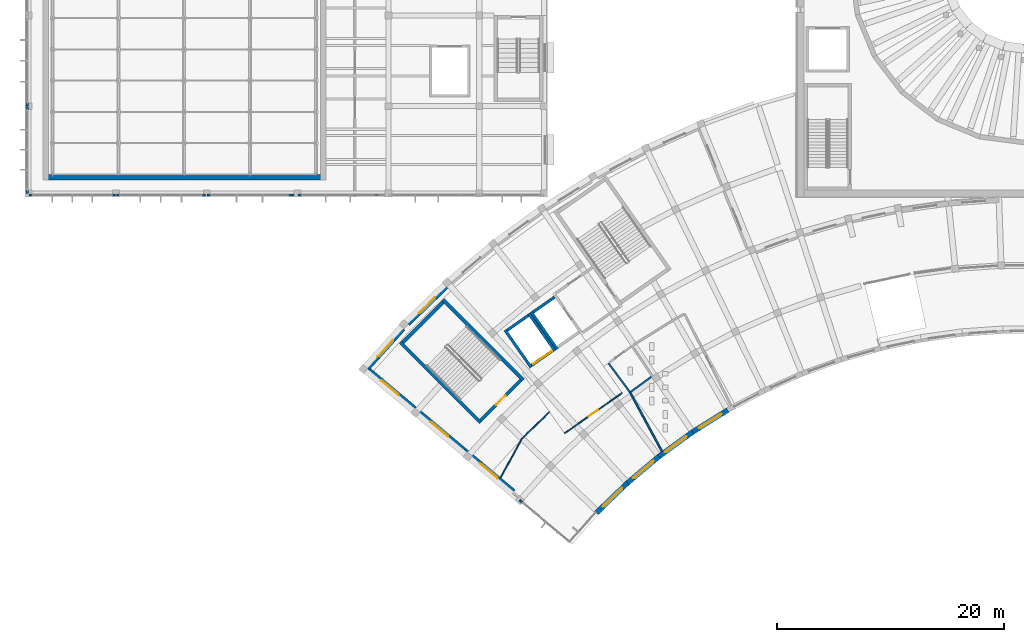
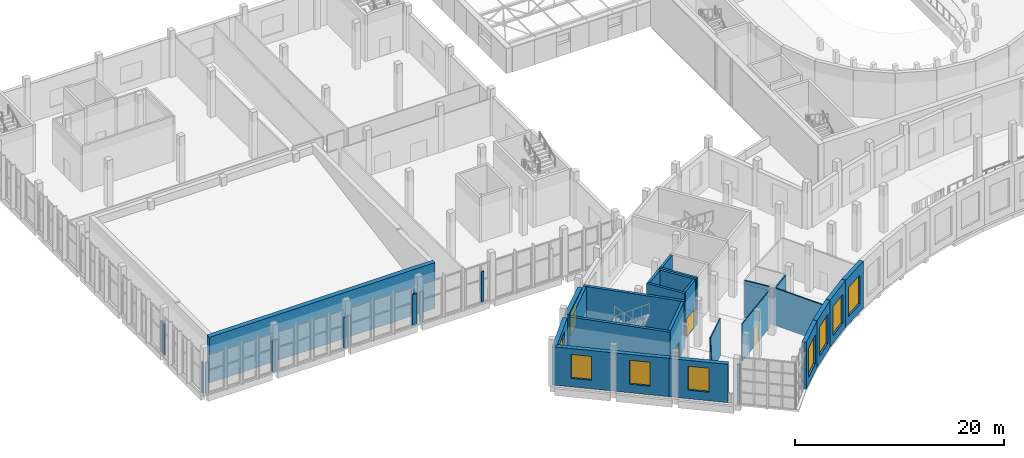
# One storey, part 68 of 132: 38 walls, 9 windows, 3 doors, 12 openings.
"""IFC4 building model written with IfcOpenShell, lengths in metres."""

from ifc_helpers import new_model, si_unit, direction, frame, frame_2d, origin, place, context, subcontext, project, spatial, rectangle, extrude, material, layer, layer_set, type_object, element, fill, save


model = new_model("IFC4")

# Units and contexts
model_context = context("Model", 3, precision=1e-05, world=origin(), true_north=direction((0.0, 1.0)))
body_context = subcontext(model_context, "Body", "Model", "MODEL_VIEW")
ifc_project = project(units=[si_unit("LENGTHUNIT", "METRE"), si_unit("AREAUNIT", "SQUARE_METRE"), si_unit("VOLUMEUNIT", "CUBIC_METRE"), si_unit("PLANEANGLEUNIT", "RADIAN"), si_unit("MASSUNIT", "GRAM", prefix="KILO")], contexts=[model_context])

# Site, building, storey
site_placement = place(None, origin())
site = spatial("IfcSite", under=ifc_project, at=site_placement, CompositionType="ELEMENT")
building_placement = place(site_placement, origin())
building = spatial("IfcBuilding", under=site, at=building_placement, Name="Lunette Opera House", CompositionType="ELEMENT")
storey_placement = place(building_placement, frame((0.0, 0.0, 17.0)))
storey = spatial("IfcBuildingStorey", under=building, at=storey_placement, Name="L03", CompositionType="ELEMENT", Elevation=17.0)

# Wall, opening, window
ifc_material_1 = material(Name="Clinker brick", Category="masonry")
ifc_layer_1 = layer(ifc_material_1, 0.449951171875)
ifc_layer_set_1 = layer_set([ifc_layer_1], Name="Clinker brick")
wall_type_1 = type_object("IfcWallType", Name="ARM END WALL 450", PredefinedType="SOLIDWALL", material=ifc_layer_set_1)
wall_1_placement = place(storey_placement, frame((51.02490234375, 38.032958984375, 0.0), z_axis=(0.0, 0.0, 1.0), x_axis=(-0.766065006368, 0.642763102565, 0.0)))
wall_1 = element("IfcWall", 1, at=wall_1_placement, inside=storey, type_object=wall_type_1, Name="Arm End Wall 450 EN-W1 L03", PredefinedType="SOLIDWALL", context=body_context, shape_type="SweptSolid", body=[
    extrude(rectangle(XDim=5.700439453125, YDim=0.449951171875, at=frame_2d((2.85009765625, 0.0))), origin(), (0.0, 0.0, 1.0), 4.47998046875),
])
opening_1_placement = place(wall_1_placement, frame((1.85009765625, 0.0, 1.0)))
opening_1 = element("IfcOpeningElement", 2, at=opening_1_placement, cuts=wall_1, Name="Opening FC-N2086", PredefinedType="OPENING", context=body_context, shape_type="SweptSolid", body=[
    extrude(rectangle(XDim=2.0, YDim=2.800048828125, at=frame_2d((1.0, 1.39990234375))), frame((0.0, 0.237060546875, 0.0), z_axis=(0.0, -1.0, 0.0), x_axis=(1.0, 0.0, 0.0)), (0.0, 0.0, 1.0), 0.473876953125),
])
ifc_material_2 = material(Name="Aluminium", Category="aluminium")
window_type_1 = type_object("IfcWindowType", Name="ARM WINDOW 2000 X 2800", PartitioningType="DOUBLE_PANEL_VERTICAL", PredefinedType="WINDOW", material=ifc_material_2)
window_1_placement = place(opening_1_placement, origin())
window_1 = element("IfcWindow", 3, at=window_1_placement, inside=storey, type_object=window_type_1, Name="Arm Window 2000 X 2800 EN-W1 L03", OverallHeight=2.800048828125, OverallWidth=2.0, PartitioningType="DOUBLE_PANEL_VERTICAL", PredefinedType="WINDOW", context=body_context, shape_type="SweptSolid", body=[
    extrude(rectangle(XDim=2.0, YDim=2.800048828125, at=frame_2d((1.0, 1.39990234375))), frame((0.0, 0.030029296875, 0.0), z_axis=(0.0, -1.0, 0.0), x_axis=(1.0, 0.0, 0.0)), (0.0, 0.0, 1.0), 0.06005859375),
])
fill(opening_1, window_1)

wall_2_placement = place(storey_placement, frame((46.657958984375, 41.697021484375, 0.0), z_axis=(0.0, 0.0, 1.0), x_axis=(-0.766078586631, 0.642746916838, 0.0)))
wall_2 = element("IfcWall", 4, at=wall_2_placement, inside=storey, type_object=wall_type_1, Name="Arm End Wall 450 EN-W2 L03", PredefinedType="SOLIDWALL", context=body_context, shape_type="SweptSolid", body=[
    extrude(rectangle(XDim=5.69921875, YDim=0.449951171875, at=frame_2d((2.849609375, 0.0))), origin(), (0.0, 0.0, 1.0), 4.47998046875),
])
opening_2_placement = place(wall_2_placement, frame((1.85009765625, 0.0, 1.0)))
opening_2 = element("IfcOpeningElement", 5, at=opening_2_placement, cuts=wall_2, Name="Opening FC-N2087", PredefinedType="OPENING", context=body_context, shape_type="SweptSolid", body=[
    extrude(rectangle(XDim=2.0, YDim=2.800048828125, at=frame_2d((1.0, 1.39990234375))), frame((0.0, 0.237060546875, 0.0), z_axis=(0.0, -1.0, 0.0), x_axis=(1.0, 0.0, 0.0)), (0.0, 0.0, 1.0), 0.473876953125),
])
window_2_placement = place(opening_2_placement, origin())
window_2 = element("IfcWindow", 6, at=window_2_placement, inside=storey, type_object=window_type_1, Name="Arm Window 2000 X 2800 EN-W2 L03", OverallHeight=2.800048828125, OverallWidth=2.0, PartitioningType="DOUBLE_PANEL_VERTICAL", PredefinedType="WINDOW", context=body_context, shape_type="SweptSolid", body=[
    extrude(rectangle(XDim=2.0, YDim=2.800048828125, at=frame_2d((1.0, 1.39990234375))), frame((0.0, 0.030029296875, 0.0), z_axis=(0.0, -1.0, 0.0), x_axis=(1.0, 0.0, 0.0)), (0.0, 0.0, 1.0), 0.06005859375),
])
fill(opening_2, window_2)

wall_3_placement = place(storey_placement, frame((42.2919921875, 45.360107421875, 0.0), z_axis=(0.0, 0.0, 1.0), x_axis=(-0.766086094987, 0.642737967657, 0.0)))
wall_3 = element("IfcWall", 7, at=wall_3_placement, inside=storey, type_object=wall_type_1, Name="Arm End Wall 450 EN-W3 L03", PredefinedType="SOLIDWALL", context=body_context, shape_type="SweptSolid", body=[
    extrude(rectangle(XDim=5.700439453125, YDim=0.449951171875, at=frame_2d((2.85009765625, 0.0))), origin(), (0.0, 0.0, 1.0), 4.47998046875),
])
opening_3_placement = place(wall_3_placement, frame((1.85009765625, 0.0, 1.0)))
opening_3 = element("IfcOpeningElement", 8, at=opening_3_placement, cuts=wall_3, Name="Opening FC-N2088", PredefinedType="OPENING", context=body_context, shape_type="SweptSolid", body=[
    extrude(rectangle(XDim=2.0, YDim=2.800048828125, at=frame_2d((1.0, 1.39990234375))), frame((0.0, 0.237060546875, 0.0), z_axis=(0.0, -1.0, 0.0), x_axis=(1.0, 0.0, 0.0)), (0.0, 0.0, 1.0), 0.473876953125),
])
window_3_placement = place(opening_3_placement, origin())
window_3 = element("IfcWindow", 9, at=window_3_placement, inside=storey, type_object=window_type_1, Name="Arm Window 2000 X 2800 EN-W3 L03", OverallHeight=2.800048828125, OverallWidth=2.0, PartitioningType="DOUBLE_PANEL_VERTICAL", PredefinedType="WINDOW", context=body_context, shape_type="SweptSolid", body=[
    extrude(rectangle(XDim=2.0, YDim=2.800048828125, at=frame_2d((1.0, 1.39990234375))), frame((0.0, 0.030029296875, 0.0), z_axis=(0.0, -1.0, 0.0), x_axis=(1.0, 0.0, 0.0)), (0.0, 0.0, 1.0), 0.06005859375),
])
fill(opening_3, window_3)

ifc_material_3 = material(Name="Clinker brick", Category="masonry")
ifc_layer_2 = layer(ifc_material_3, 0.449951171875)
ifc_layer_set_2 = layer_set([ifc_layer_2], Name="Clinker brick")
wall_type_2 = type_object("IfcWallType", Name="ARM RAIN SCREEN WALL 450", PredefinedType="SOLIDWALL", material=ifc_layer_set_2)
wall_4_placement = place(storey_placement, frame((38.154052734375, 48.929931640625, 0.0), z_axis=(0.0, 0.0, 1.0), x_axis=(0.669007879878, 0.74325531055, 0.0)))
wall_4 = element("IfcWall", 10, at=wall_4_placement, inside=storey, type_object=wall_type_2, Name="Arm Rain Screen Wall 450 BW-CW01 L03", PredefinedType="SOLIDWALL", context=body_context, shape_type="SweptSolid", body=[
    extrude(rectangle(XDim=4.68896484375, YDim=0.449951171875, at=frame_2d((2.344482421875, 0.0))), origin(), (0.0, 0.0, 1.0), 4.47998046875),
])
opening_4_placement = place(wall_4_placement, frame((1.344970703125, 0.0, 1.0)))
opening_4 = element("IfcOpeningElement", 11, at=opening_4_placement, cuts=wall_4, Name="Opening FC-N2110", PredefinedType="OPENING", context=body_context, shape_type="SweptSolid", body=[
    extrude(rectangle(XDim=2.0, YDim=2.800048828125, at=frame_2d((1.0, 1.39990234375))), frame((0.0, 0.237060546875, 0.0), z_axis=(0.0, -1.0, 0.0), x_axis=(1.0, 0.0, 0.0)), (0.0, 0.0, 1.0), 0.473876953125),
])
window_4_placement = place(opening_4_placement, origin())
window_4 = element("IfcWindow", 12, at=window_4_placement, inside=storey, type_object=window_type_1, Name="Arm Window 2000 X 2800 BW-CW01 L03", OverallHeight=2.800048828125, OverallWidth=2.0, PartitioningType="DOUBLE_PANEL_VERTICAL", PredefinedType="WINDOW", context=body_context, shape_type="SweptSolid", body=[
    extrude(rectangle(XDim=2.0, YDim=2.800048828125, at=frame_2d((1.0, 1.39990234375))), frame((0.0, 0.030029296875, 0.0), z_axis=(0.0, -1.0, 0.0), x_axis=(1.0, 0.0, 0.0)), (0.0, 0.0, 1.0), 0.06005859375),
])
fill(opening_4, window_4)

wall_5_placement = place(storey_placement, frame((41.7080078125, 52.845947265625, 0.0), z_axis=(0.0, 0.0, 1.0), x_axis=(0.719260611584, 0.694740363462, 0.0)))
wall_5 = element("IfcWall", 13, at=wall_5_placement, inside=storey, type_object=wall_type_2, Name="Arm Rain Screen Wall 450 BW-CW02 L03", PredefinedType="SOLIDWALL", context=body_context, shape_type="SweptSolid", body=[
    extrude(rectangle(XDim=4.689697265625, YDim=0.449951171875, at=frame_2d((2.3447265625, 0.0))), origin(), (0.0, 0.0, 1.0), 4.47998046875),
])
opening_5_placement = place(wall_5_placement, frame((1.344970703125, 0.0, 1.0)))
opening_5 = element("IfcOpeningElement", 14, at=opening_5_placement, cuts=wall_5, Name="Opening FC-N2114", PredefinedType="OPENING", context=body_context, shape_type="SweptSolid", body=[
    extrude(rectangle(XDim=2.0, YDim=2.800048828125, at=frame_2d((1.0, 1.39990234375))), frame((0.0, 0.237060546875, 0.0), z_axis=(0.0, -1.0, 0.0), x_axis=(1.0, 0.0, 0.0)), (0.0, 0.0, 1.0), 0.473876953125),
])
window_5_placement = place(opening_5_placement, origin())
window_5 = element("IfcWindow", 15, at=window_5_placement, inside=storey, type_object=window_type_1, Name="Arm Window 2000 X 2800 BW-CW02 L03", OverallHeight=2.800048828125, OverallWidth=2.0, PartitioningType="DOUBLE_PANEL_VERTICAL", PredefinedType="WINDOW", context=body_context, shape_type="SweptSolid", body=[
    extrude(rectangle(XDim=2.0, YDim=2.800048828125, at=frame_2d((1.0, 1.39990234375))), frame((0.0, 0.030029296875, 0.0), z_axis=(0.0, -1.0, 0.0), x_axis=(1.0, 0.0, 0.0)), (0.0, 0.0, 1.0), 0.06005859375),
])
fill(opening_5, window_5)

# Walls
ifc_material_4 = material(Name="Plastered clay blockwork", Category="masonry")
ifc_layer_3 = layer(ifc_material_4, 0.14990234375)
ifc_layer_set_3 = layer_set([ifc_layer_3], Name="Plastered clay blockwork")
wall_type_3 = type_object("IfcWallType", Name="BLOCK PARTITION 150", PredefinedType="PARTITIONING", material=ifc_layer_set_3)
wall_6_placement = place(storey_placement, frame((61.283935546875, 46.7958984375, 0.0), z_axis=(0.0, 0.0, 1.0), x_axis=(0.474946340789, -0.880014757473, 0.0)))
element("IfcWall", 16, at=wall_6_placement, inside=storey, type_object=wall_type_3, Name="Partition Public WC L03", PredefinedType="PARTITIONING", context=body_context, shape_type="SweptSolid", body=[
    extrude(rectangle(XDim=5.8974609375, YDim=0.14990234375, at=frame_2d((2.94873046875, 0.0))), origin(), (0.0, 0.0, 1.0), 4.3798828125),
])
wall_7_placement = place(storey_placement, frame((59.3779296875, 49.364990234375, 0.0), z_axis=(0.0, 0.0, 1.0), x_axis=(0.595827869692, -0.803112165079, 0.0)))
element("IfcWall", 17, at=wall_7_placement, inside=storey, type_object=wall_type_3, Name="Partition Accessible WC L03", PredefinedType="PARTITIONING", context=body_context, shape_type="SweptSolid", body=[
    extrude(rectangle(XDim=3.198974609375, YDim=0.14990234375, at=frame_2d((1.599609375, 0.0))), origin(), (0.0, 0.0, 1.0), 4.3798828125),
])
wall_8_placement = place(storey_placement, frame((61.323974609375, 46.824951171875, 0.0), z_axis=(0.0, 0.0, 1.0), x_axis=(0.809015719363, 0.587787007192, 0.0)))
element("IfcWall", 18, at=wall_8_placement, inside=storey, type_object=wall_type_3, Name="Partition Accessible WC L03", PredefinedType="PARTITIONING", context=body_context, shape_type="SweptSolid", body=[
    extrude(rectangle(XDim=2.264404296875, YDim=0.14990234375, at=frame_2d((1.13232421875, 0.0))), origin(), (0.0, 0.0, 1.0), 4.3798828125),
])

# Wall, opening, window
ifc_material_5 = material(Name="Clinker brick", Category="masonry")
ifc_layer_4 = layer(ifc_material_5, 0.449951171875)
ifc_layer_set_4 = layer_set([ifc_layer_4], Name="Clinker brick")
wall_type_4 = type_object("IfcWallType", Name="CRESCENT BRICK WALL 450", PredefinedType="SOLIDWALL", material=ifc_layer_set_4)
wall_9_placement = place(storey_placement, frame((58.327880859375, 36.177978515625, 0.0), z_axis=(0.0, 0.0, 1.0), x_axis=(0.719395911917, 0.694600260522, 0.0)))
wall_9 = element("IfcWall", 19, at=wall_9_placement, inside=storey, type_object=wall_type_4, Name="Crescent Brick Wall 450 BW-A01 L03", PredefinedType="SOLIDWALL", context=body_context, shape_type="SweptSolid", body=[
    extrude(rectangle(XDim=3.790771484375, YDim=0.449951171875, at=frame_2d((1.8955078125, 0.0))), origin(), (0.0, 0.0, 1.0), 5.5),
])
opening_6_placement = place(wall_9_placement, frame((0.798095703125, 0.0, 0.89990234375)))
opening_6 = element("IfcOpeningElement", 20, at=opening_6_placement, cuts=wall_9, Name="Opening FC-N2002", PredefinedType="OPENING", context=body_context, shape_type="SweptSolid", body=[
    extrude(rectangle(XDim=2.340087890625, YDim=3.39990234375, at=frame_2d((1.169921875, 1.699951171875))), frame((0.0, 0.237060546875, 0.0), z_axis=(0.0, -1.0, 0.0), x_axis=(1.0, 0.0, 0.0)), (0.0, 0.0, 1.0), 0.473876953125),
])
ifc_material_6 = material(Name="Aluminium", Category="aluminium")
window_type_2 = type_object("IfcWindowType", Name="CHICAGO WINDOW 2340 X 3400", PartitioningType="TRIPLE_PANEL_VERTICAL", PredefinedType="WINDOW", material=ifc_material_6)
window_6_placement = place(opening_6_placement, origin())
window_6 = element("IfcWindow", 21, at=window_6_placement, inside=storey, type_object=window_type_2, Name="Chicago Window 2340 X 3400 BW-A01 L03", OverallHeight=3.39990234375, OverallWidth=2.340087890625, PartitioningType="TRIPLE_PANEL_VERTICAL", PredefinedType="WINDOW", context=body_context, shape_type="SweptSolid", body=[
    extrude(rectangle(XDim=2.340087890625, YDim=3.39990234375, at=frame_2d((1.169921875, 1.699951171875))), frame((0.0, 0.030029296875, 0.0), z_axis=(0.0, -1.0, 0.0), x_axis=(1.0, 0.0, 0.0)), (0.0, 0.0, 1.0), 0.06005859375),
])
fill(opening_6, window_6)

wall_10_placement = place(storey_placement, frame((61.054931640625, 38.81103515625, 0.0), z_axis=(0.0, 0.0, 1.0), x_axis=(0.766009592259, 0.642829141038, 0.0)))
wall_10 = element("IfcWall", 22, at=wall_10_placement, inside=storey, type_object=wall_type_4, Name="Crescent Brick Wall 450 BW-A02 L03", PredefinedType="SOLIDWALL", context=body_context, shape_type="SweptSolid", body=[
    extrude(rectangle(XDim=3.644775390625, YDim=0.449951171875, at=frame_2d((1.822265625, 0.0))), origin(), (0.0, 0.0, 1.0), 5.5),
])
opening_7_placement = place(wall_10_placement, frame((0.653076171875, 0.0, 0.89990234375)))
opening_7 = element("IfcOpeningElement", 23, at=opening_7_placement, cuts=wall_10, Name="Opening FC-N2005", PredefinedType="OPENING", context=body_context, shape_type="SweptSolid", body=[
    extrude(rectangle(XDim=2.340087890625, YDim=3.39990234375, at=frame_2d((1.169921875, 1.699951171875))), frame((0.0, 0.237060546875, 0.0), z_axis=(0.0, -1.0, 0.0), x_axis=(1.0, 0.0, 0.0)), (0.0, 0.0, 1.0), 0.473876953125),
])
window_7_placement = place(opening_7_placement, origin())
window_7 = element("IfcWindow", 24, at=window_7_placement, inside=storey, type_object=window_type_2, Name="Chicago Window 2340 X 3400 BW-A02 L03", OverallHeight=3.39990234375, OverallWidth=2.340087890625, PartitioningType="TRIPLE_PANEL_VERTICAL", PredefinedType="WINDOW", context=body_context, shape_type="SweptSolid", body=[
    extrude(rectangle(XDim=2.340087890625, YDim=3.39990234375, at=frame_2d((1.169921875, 1.699951171875))), frame((0.0, 0.030029296875, 0.0), z_axis=(0.0, -1.0, 0.0), x_axis=(1.0, 0.0, 0.0)), (0.0, 0.0, 1.0), 0.06005859375),
])
fill(opening_7, window_7)

wall_11_placement = place(storey_placement, frame((63.846923828125, 41.154052734375, 0.0), z_axis=(0.0, 0.0, 1.0), x_axis=(0.809109587744, 0.58765778734, 0.0)))
wall_11 = element("IfcWall", 25, at=wall_11_placement, inside=storey, type_object=wall_type_4, Name="Crescent Brick Wall 450 BW-A03 L03", PredefinedType="SOLIDWALL", context=body_context, shape_type="SweptSolid", body=[
    extrude(rectangle(XDim=3.644775390625, YDim=0.449951171875, at=frame_2d((1.822265625, 0.0))), origin(), (0.0, 0.0, 1.0), 5.5),
])
opening_8_placement = place(wall_11_placement, frame((0.653076171875, 0.0, 0.89990234375)))
opening_8 = element("IfcOpeningElement", 26, at=opening_8_placement, cuts=wall_11, Name="Opening FC-N2008", PredefinedType="OPENING", context=body_context, shape_type="SweptSolid", body=[
    extrude(rectangle(XDim=2.340087890625, YDim=3.39990234375, at=frame_2d((1.169921875, 1.699951171875))), frame((0.0, 0.237060546875, 0.0), z_axis=(0.0, -1.0, 0.0), x_axis=(1.0, 0.0, 0.0)), (0.0, 0.0, 1.0), 0.473876953125),
])
window_8_placement = place(opening_8_placement, origin())
window_8 = element("IfcWindow", 27, at=window_8_placement, inside=storey, type_object=window_type_2, Name="Chicago Window 2340 X 3400 BW-A03 L03", OverallHeight=3.39990234375, OverallWidth=2.340087890625, PartitioningType="TRIPLE_PANEL_VERTICAL", PredefinedType="WINDOW", context=body_context, shape_type="SweptSolid", body=[
    extrude(rectangle(XDim=2.340087890625, YDim=3.39990234375, at=frame_2d((1.169921875, 1.699951171875))), frame((0.0, 0.030029296875, 0.0), z_axis=(0.0, -1.0, 0.0), x_axis=(1.0, 0.0, 0.0)), (0.0, 0.0, 1.0), 0.06005859375),
])
fill(opening_8, window_8)

wall_12_placement = place(storey_placement, frame((66.7958984375, 43.2958984375, 0.0), z_axis=(0.0, 0.0, 1.0), x_axis=(0.848047203697, 0.529920692464, 0.0)))
wall_12 = element("IfcWall", 28, at=wall_12_placement, inside=storey, type_object=wall_type_4, Name="Crescent Brick Wall 450 BW-A04 L03", PredefinedType="SOLIDWALL", context=body_context, shape_type="SweptSolid", body=[
    extrude(rectangle(XDim=3.64599609375, YDim=0.449951171875, at=frame_2d((1.822998046875, 0.0))), origin(), (0.0, 0.0, 1.0), 5.5),
])
opening_9_placement = place(wall_12_placement, frame((0.653076171875, 0.0, 0.89990234375)))
opening_9 = element("IfcOpeningElement", 29, at=opening_9_placement, cuts=wall_12, Name="Opening FC-N2011", PredefinedType="OPENING", context=body_context, shape_type="SweptSolid", body=[
    extrude(rectangle(XDim=2.340087890625, YDim=3.39990234375, at=frame_2d((1.169921875, 1.699951171875))), frame((0.0, 0.237060546875, 0.0), z_axis=(0.0, -1.0, 0.0), x_axis=(1.0, 0.0, 0.0)), (0.0, 0.0, 1.0), 0.473876953125),
])
window_9_placement = place(opening_9_placement, origin())
window_9 = element("IfcWindow", 30, at=window_9_placement, inside=storey, type_object=window_type_2, Name="Chicago Window 2340 X 3400 BW-A04 L03", OverallHeight=3.39990234375, OverallWidth=2.340087890625, PartitioningType="TRIPLE_PANEL_VERTICAL", PredefinedType="WINDOW", context=body_context, shape_type="SweptSolid", body=[
    extrude(rectangle(XDim=2.340087890625, YDim=3.39990234375, at=frame_2d((1.169921875, 1.699951171875))), frame((0.0, 0.030029296875, 0.0), z_axis=(0.0, -1.0, 0.0), x_axis=(1.0, 0.0, 0.0)), (0.0, 0.0, 1.0), 0.06005859375),
])
fill(opening_9, window_9)

# Walls
ifc_material_7 = material(Name="Insulated aluminium sandwich panel", Category="aluminium")
ifc_layer_5 = layer(ifc_material_7, 0.179931640625)
ifc_layer_set_5 = layer_set([ifc_layer_5], Name="Insulated aluminium sandwich panel")
wall_type_5 = type_object("IfcWallType", Name="CURTAIN WALL INFILL 180", PredefinedType="SOLIDWALL", material=ifc_layer_set_5)
wall_13_placement = place(storey_placement, frame((51.800048828125, 37.089111328125, 0.0), z_axis=(0.0, 0.0, 1.0), x_axis=(-0.767105498424, 0.641520969485, 0.0)))
element("IfcWall", 31, at=wall_13_placement, inside=storey, type_object=wall_type_5, Name="Curtain Wall Infill 180 IN5 L03", PredefinedType="SOLIDWALL", context=body_context, shape_type="SweptSolid", body=[
    extrude(rectangle(XDim=0.30517578125, YDim=0.179931640625, at=frame_2d((0.152587890625, 0.0))), origin(), (0.0, 0.0, 1.0), 4.64990234375),
])
wall_14_placement = place(storey_placement, frame((8.181884765625, 72.330078125, 0.0), z_axis=(0.0, 0.0, 1.0), x_axis=(0.0, -1.0, 0.0)))
element("IfcWall", 32, at=wall_14_placement, inside=storey, type_object=wall_type_5, Name="Curtain Wall Infill 180 IN92 L03", PredefinedType="SOLIDWALL", context=body_context, shape_type="SweptSolid", body=[
    extrude(rectangle(XDim=0.30517578125, YDim=0.179931640625, at=frame_2d((0.152587890625, 0.0))), origin(), (0.0, 0.0, 1.0), 3.699951171875),
])
wall_15_placement = place(storey_placement, frame((8.181884765625, 64.6298828125, 0.0), z_axis=(0.0, 0.0, 1.0), x_axis=(0.0, -1.0, 0.0)))
element("IfcWall", 33, at=wall_15_placement, inside=storey, type_object=wall_type_5, Name="Curtain Wall Infill 180 IN94 L03", PredefinedType="SOLIDWALL", context=body_context, shape_type="SweptSolid", body=[
    extrude(rectangle(XDim=0.304931640625, YDim=0.179931640625, at=frame_2d((0.15234375, 0.0))), origin(), (0.0, 0.0, 1.0), 3.60009765625),
])
for number, where, z_axis, x_axis, name in (
    (34, (8.181884765625, 71.669921875, 0.0), (0.0, 0.0, 1.0), (0.0, 1.0, 0.0), "Curtain Wall Infill 180 IN95 L03"),
    (35, (15.669921875, 64.18310546875, 0.0), (0.0, 0.0, 1.0), (1.0, 0.0, 0.0), "Curtain Wall Infill 180 IN96 L03"),
):
    element("IfcWall", number, at=place(storey_placement, frame(where, z_axis=z_axis, x_axis=x_axis)), inside=storey, type_object=wall_type_5, Name=name, PredefinedType="SOLIDWALL", context=body_context, shape_type="SweptSolid", body=[
        extrude(rectangle(XDim=0.30517578125, YDim=0.179931640625, at=frame_2d((0.152587890625, 0.0))), origin(), (0.0, 0.0, 1.0), 3.60009765625),
    ])
wall_16_placement = place(storey_placement, frame((8.6298828125, 64.18310546875, 0.0), z_axis=(0.0, 0.0, 1.0), x_axis=(-1.0, 0.0, 0.0)))
element("IfcWall", 36, at=wall_16_placement, inside=storey, type_object=wall_type_5, Name="Curtain Wall Infill 180 IN97 L03", PredefinedType="SOLIDWALL", context=body_context, shape_type="SweptSolid", body=[
    extrude(rectangle(XDim=0.304931640625, YDim=0.179931640625, at=frame_2d((0.15234375, 0.0))), origin(), (0.0, 0.0, 1.0), 3.60009765625),
])
for number, where, z_axis, x_axis, name in (
    (37, (23.576904296875, 64.18310546875, 0.0), (0.0, 0.0, 1.0), (1.0, 0.0, 0.0), "Curtain Wall Infill 180 IN98 L03"),
    (38, (16.330078125, 64.18310546875, 0.0), (0.0, 0.0, 1.0), (-1.0, 0.0, 0.0), "Curtain Wall Infill 180 IN99 L03"),
):
    element("IfcWall", number, at=place(storey_placement, frame(where, z_axis=z_axis, x_axis=x_axis)), inside=storey, type_object=wall_type_5, Name=name, PredefinedType="SOLIDWALL", context=body_context, shape_type="SweptSolid", body=[
        extrude(rectangle(XDim=0.30517578125, YDim=0.179931640625, at=frame_2d((0.152587890625, 0.0))), origin(), (0.0, 0.0, 1.0), 3.60009765625),
    ])
wall_17_placement = place(storey_placement, frame((31.18310546875, 64.18310546875, 0.0), z_axis=(0.0, 0.0, 1.0), x_axis=(1.0, 0.0, 0.0)))
element("IfcWall", 39, at=wall_17_placement, inside=storey, type_object=wall_type_5, Name="Curtain Wall Infill 180 IN100 L03", PredefinedType="SOLIDWALL", context=body_context, shape_type="SweptSolid", body=[
    extrude(rectangle(XDim=0.514892578125, YDim=0.179931640625, at=frame_2d((0.25732421875, 0.0))), origin(), (0.0, 0.0, 1.0), 3.60009765625),
])
wall_18_placement = place(storey_placement, frame((24.330078125, 64.18310546875, 0.0), z_axis=(0.0, 0.0, 1.0), x_axis=(-1.0, 0.0, 0.0)))
element("IfcWall", 40, at=wall_18_placement, inside=storey, type_object=wall_type_5, Name="Curtain Wall Infill 180 IN101 L03", PredefinedType="SOLIDWALL", context=body_context, shape_type="SweptSolid", body=[
    extrude(rectangle(XDim=0.30517578125, YDim=0.179931640625, at=frame_2d((0.152587890625, 0.0))), origin(), (0.0, 0.0, 1.0), 3.60009765625),
])
wall_19_placement = place(storey_placement, frame((38.7880859375, 64.18310546875, 0.0), z_axis=(0.0, 0.0, 1.0), x_axis=(1.0, 0.0, 0.0)))
element("IfcWall", 41, at=wall_19_placement, inside=storey, type_object=wall_type_5, Name="Curtain Wall Infill 180 IN102 L03", PredefinedType="SOLIDWALL", context=body_context, shape_type="SweptSolid", body=[
    extrude(rectangle(XDim=0.304931640625, YDim=0.179931640625, at=frame_2d((0.15234375, 0.0))), origin(), (0.0, 0.0, 1.0), 3.60009765625),
])
wall_20_placement = place(storey_placement, frame((32.330078125, 64.18310546875, 0.0), z_axis=(0.0, 0.0, 1.0), x_axis=(-1.0, 0.0, 0.0)))
element("IfcWall", 42, at=wall_20_placement, inside=storey, type_object=wall_type_5, Name="Curtain Wall Infill 180 IN103 L03", PredefinedType="SOLIDWALL", context=body_context, shape_type="SweptSolid", body=[
    extrude(rectangle(XDim=0.30517578125, YDim=0.179931640625, at=frame_2d((0.152587890625, 0.0))), origin(), (0.0, 0.0, 1.0), 3.60009765625),
])
ifc_material_8 = material(Name="Concrete C35/45", Category="concrete")
ifc_layer_6 = layer(ifc_material_8, 0.25)
ifc_layer_set_6 = layer_set([ifc_layer_6], Name="Concrete C35/45")
wall_type_6 = type_object("IfcWallType", Name="RC LIFT SHAFT WALL 250", PredefinedType="SOLIDWALL", material=ifc_layer_set_6)
wall_21_placement = place(storey_placement, frame((54.623046875, 55.1689453125, 0.0), z_axis=(0.0, 0.0, 1.0), x_axis=(-0.819226933165, -0.573469469089, 0.0)))
element("IfcWall", 43, at=wall_21_placement, inside=storey, type_object=wall_type_6, Name="FL2 shaft wall 2", PredefinedType="SOLIDWALL", context=body_context, shape_type="SweptSolid", body=[
    extrude(rectangle(XDim=2.2998046875, YDim=0.25, at=frame_2d((1.14990234375, 0.0))), origin(), (0.0, 0.0, 1.0), 5.5),
])
for number, where, z_axis, x_axis, name in (
    (44, (52.56494140625, 53.881103515625, 0.0), (0.0, 0.0, 1.0), (0.573572956461, -0.819154480923, 0.0), "FL2 shaft wall 3"),
    (45, (54.655029296875, 50.4609375, 0.0), (0.0, 0.0, 1.0), (-0.573572956461, 0.819154480923, 0.0), "LF1 shaft wall 1"),
):
    element("IfcWall", number, at=place(storey_placement, frame(where, z_axis=z_axis, x_axis=x_axis)), inside=storey, type_object=wall_type_6, Name=name, PredefinedType="SOLIDWALL", context=body_context, shape_type="SweptSolid", body=[
        extrude(rectangle(XDim=3.99951171875, YDim=0.25, at=frame_2d((1.999755859375, 0.0))), origin(), (0.0, 0.0, 1.0), 5.5),
    ])
wall_22_placement = place(storey_placement, frame((52.330078125, 53.56298828125, 0.0), z_axis=(0.0, 0.0, 1.0), x_axis=(-0.819316661421, -0.57334126689, 0.0)))
element("IfcWall", 46, at=wall_22_placement, inside=storey, type_object=wall_type_6, Name="LF1 shaft wall 2", PredefinedType="SOLIDWALL", context=body_context, shape_type="SweptSolid", body=[
    extrude(rectangle(XDim=2.30078125, YDim=0.25, at=frame_2d((1.150390625, 0.0))), origin(), (0.0, 0.0, 1.0), 5.5),
])
wall_23_placement = place(storey_placement, frame((50.27099609375, 52.27490234375, 0.0), z_axis=(0.0, 0.0, 1.0), x_axis=(0.57360163893, -0.819134396675, 0.0)))
element("IfcWall", 47, at=wall_23_placement, inside=storey, type_object=wall_type_6, Name="LF1 shaft wall 3", PredefinedType="SOLIDWALL", context=body_context, shape_type="SweptSolid", body=[
    extrude(rectangle(XDim=3.999267578125, YDim=0.25, at=frame_2d((1.99951171875, 0.0))), origin(), (0.0, 0.0, 1.0), 5.5),
])

# Wall, opening, door
wall_24_placement = place(storey_placement, frame((52.595947265625, 49.173095703125, 0.0), z_axis=(0.0, 0.0, 1.0), x_axis=(0.819366508838, 0.573270027295, 0.0)))
wall_24 = element("IfcWall", 48, at=wall_24_placement, inside=storey, type_object=wall_type_6, Name="LF1 shaft wall 4", PredefinedType="SOLIDWALL", context=body_context, shape_type="SweptSolid", body=[
    extrude(rectangle(XDim=2.300537109375, YDim=0.25, at=frame_2d((1.150390625, 0.0))), origin(), (0.0, 0.0, 1.0), 5.5),
])
opening_10_placement = place(wall_24_placement, frame((0.199951171875, 0.0, 0.0)))
opening_10 = element("IfcOpeningElement", 49, at=opening_10_placement, cuts=wall_24, Name="Opening FC-LD017", PredefinedType="OPENING", context=body_context, shape_type="SweptSolid", body=[
    extrude(rectangle(XDim=2.0, YDim=2.199951171875, at=frame_2d((1.0, 1.10009765625))), frame((0.0, 0.136962890625, 0.0), z_axis=(0.0, -1.0, 0.0), x_axis=(1.0, 0.0, 0.0)), (0.0, 0.0, 1.0), 0.27392578125),
])
ifc_material_9 = material(Name="Stainless steel", Category="steel")
door_type_1 = type_object("IfcDoorType", Name="LIFT LANDING DOOR 2000 X 2200", OperationType="DOUBLE_DOOR_SLIDING", PredefinedType="DOOR", material=ifc_material_9)
door_1_placement = place(opening_10_placement, origin())
door_1 = element("IfcDoor", 50, at=door_1_placement, inside=storey, type_object=door_type_1, Name="LF1 lift landing door", OperationType="DOUBLE_DOOR_SLIDING", OverallHeight=2.199951171875, OverallWidth=2.0, PredefinedType="DOOR", context=body_context, shape_type="SweptSolid", body=[
    extrude(rectangle(XDim=2.0, YDim=2.199951171875, at=frame_2d((1.0, 1.10009765625))), frame((0.0, 0.02490234375, 0.0), z_axis=(0.0, -1.0, 0.0), x_axis=(1.0, 0.0, 0.0)), (0.0, 0.0, 1.0), 0.050048828125),
])
fill(opening_10, door_1)

ifc_material_10 = material(Name="Concrete C35/45", Category="concrete")
ifc_layer_7 = layer(ifc_material_10, 0.300048828125)
ifc_layer_set_7 = layer_set([ifc_layer_7], Name="Concrete C35/45")
wall_type_7 = type_object("IfcWallType", Name="RC STAIR ENCLOSURE WALL 300", PredefinedType="SOLIDWALL", material=ifc_layer_set_7)
wall_25_placement = place(storey_placement, frame((48.12890625, 44.3349609375, 0.0), z_axis=(0.0, 0.0, 1.0), x_axis=(0.707106781187, 0.707106781187, 0.0)))
wall_25 = element("IfcWall", 51, at=wall_25_placement, inside=storey, type_object=wall_type_7, Name="ST1 enclosure wall 1", PredefinedType="SOLIDWALL", context=body_context, shape_type="SweptSolid", body=[
    extrude(rectangle(XDim=5.000732421875, YDim=0.300048828125, at=frame_2d((2.50048828125, 0.0))), origin(), (0.0, 0.0, 1.0), 5.5),
])
opening_11_placement = place(wall_25_placement, frame((1.89990234375, 0.0, 0.0)))
opening_11 = element("IfcOpeningElement", 52, at=opening_11_placement, cuts=wall_25, Name="Opening FC-D7011", PredefinedType="OPENING", context=body_context, shape_type="SweptSolid", body=[
    extrude(rectangle(XDim=1.199951171875, YDim=2.10009765625, at=frame_2d((0.60009765625, 1.050048828125))), frame((0.0, 0.162109375, 0.0), z_axis=(0.0, -1.0, 0.0), x_axis=(1.0, 0.0, 0.0)), (0.0, 0.0, 1.0), 0.323974609375),
])
ifc_material_11 = material(Name="Steel", Category="steel")
door_type_2 = type_object("IfcDoorType", Name="FIRE DOOR 1200 X 2100", OperationType="SINGLE_SWING_LEFT", PredefinedType="DOOR", material=ifc_material_11)
door_2_placement = place(opening_11_placement, origin())
door_2 = element("IfcDoor", 53, at=door_2_placement, inside=storey, type_object=door_type_2, Name="ST1 stair door", OperationType="SINGLE_SWING_LEFT", OverallHeight=2.10009765625, OverallWidth=1.199951171875, PredefinedType="DOOR", context=body_context, shape_type="SweptSolid", body=[
    extrude(rectangle(XDim=1.199951171875, YDim=2.10009765625, at=frame_2d((0.60009765625, 1.050048828125))), frame((0.0, 0.02490234375, 0.0), z_axis=(0.0, -1.0, 0.0), x_axis=(1.0, 0.0, 0.0)), (0.0, 0.0, 1.0), 0.050048828125),
])
fill(opening_11, door_2)

# Walls
wall_26_placement = place(storey_placement, frame((51.876953125, 47.87109375, 0.0), z_axis=(0.0, 0.0, 1.0), x_axis=(-0.707118988363, 0.7070945738, 0.0)))
element("IfcWall", 54, at=wall_26_placement, inside=storey, type_object=wall_type_7, Name="ST1 enclosure wall 2", PredefinedType="SOLIDWALL", context=body_context, shape_type="SweptSolid", body=[
    extrude(rectangle(XDim=9.999755859375, YDim=0.300048828125, at=frame_2d((5.0, 0.0))), origin(), (0.0, 0.0, 1.0), 5.5),
])
wall_27_placement = place(storey_placement, frame((44.805908203125, 54.72998046875, 0.0), z_axis=(0.0, 0.0, 1.0), x_axis=(-0.707106781187, -0.707106781187, 0.0)))
element("IfcWall", 55, at=wall_27_placement, inside=storey, type_object=wall_type_7, Name="ST1 enclosure wall 3", PredefinedType="SOLIDWALL", context=body_context, shape_type="SweptSolid", body=[
    extrude(rectangle(XDim=5.00048828125, YDim=0.300048828125, at=frame_2d((2.500244140625, 0.0))), origin(), (0.0, 0.0, 1.0), 5.5),
])
wall_28_placement = place(storey_placement, frame((41.05810546875, 51.194091796875, 0.0), z_axis=(0.0, 0.0, 1.0), x_axis=(0.7070945738, -0.707118988363, 0.0)))
element("IfcWall", 56, at=wall_28_placement, inside=storey, type_object=wall_type_7, Name="ST1 enclosure wall 4", PredefinedType="SOLIDWALL", context=body_context, shape_type="SweptSolid", body=[
    extrude(rectangle(XDim=9.999755859375, YDim=0.300048828125, at=frame_2d((5.0, 0.0))), origin(), (0.0, 0.0, 1.0), 5.5),
])
ifc_material_12 = material(Name="Concrete C35/45", Category="concrete")
ifc_layer_8 = layer(ifc_material_12, 0.5)
ifc_layer_set_8 = layer_set([ifc_layer_8], Name="Concrete C35/45")
wall_type_8 = type_object("IfcWallType", Name="RC WALL 500", PredefinedType="SHEAR", material=ifc_layer_set_8)
wall_29_placement = place(storey_placement, frame((9.56005859375, 65.75, 0.0), z_axis=(0.0, 0.0, 1.0), x_axis=(1.0, 0.0, 0.0)))
element("IfcWall", 57, at=wall_29_placement, inside=storey, type_object=wall_type_8, Name="wall-RW-L03-HW-S-1", PredefinedType="SHEAR", context=body_context, shape_type="SweptSolid", body=[
    extrude(rectangle(XDim=24.93994140625, YDim=0.5, at=frame_2d((12.469970703125, 0.0))), origin(), (0.0, 0.0, 1.0), 5.35009765625),
])

# Wall, opening, door
ifc_material_13 = material(Name="Gypsum board on steel studs", Category="steel")
ifc_layer_9 = layer(ifc_material_13, 0.10009765625)
ifc_layer_set_9 = layer_set([ifc_layer_9], Name="Gypsum board on steel studs")
wall_type_9 = type_object("IfcWallType", Name="STUD PARTITION 100", PredefinedType="PARTITIONING", material=ifc_layer_set_9)
wall_30_placement = place(storey_placement, frame((55.508056640625, 43.18408203125, 0.0), z_axis=(0.0, 0.0, 1.0), x_axis=(0.81912644488, 0.573612994359, 0.0)))
wall_30 = element("IfcWall", 58, at=wall_30_placement, inside=storey, type_object=wall_type_9, Name="Partition Open Lift Lobby L03 West", PredefinedType="PARTITIONING", context=body_context, shape_type="SweptSolid", body=[
    extrude(rectangle(XDim=6.19921875, YDim=0.10009765625, at=frame_2d((3.099609375, 0.0))), origin(), (0.0, 0.0, 1.0), 4.3798828125),
])
opening_12_placement = place(wall_30_placement, frame((2.60009765625, 0.0, 0.0)))
opening_12 = element("IfcOpeningElement", 59, at=opening_12_placement, cuts=wall_30, Name="Opening FC-D3041", PredefinedType="OPENING", context=body_context, shape_type="SweptSolid", body=[
    extrude(rectangle(XDim=1.0, YDim=2.10009765625, at=frame_2d((0.5, 1.050048828125))), frame((0.0, 0.06201171875, 0.0), z_axis=(0.0, -1.0, 0.0), x_axis=(1.0, 0.0, 0.0)), (0.0, 0.0, 1.0), 0.1240234375),
])
ifc_material_14 = material(Name="Timber", Category="wood")
door_type_3 = type_object("IfcDoorType", Name="FLUSH DOOR 1000 X 2100", OperationType="SINGLE_SWING_LEFT", PredefinedType="DOOR", material=ifc_material_14)
door_3_placement = place(opening_12_placement, origin())
door_3 = element("IfcDoor", 60, at=door_3_placement, inside=storey, type_object=door_type_3, Name="Sponsors' Room door", OperationType="SINGLE_SWING_RIGHT", OverallHeight=2.10009765625, OverallWidth=1.0, PredefinedType="DOOR", context=body_context, shape_type="SweptSolid", body=[
    extrude(rectangle(XDim=1.0, YDim=2.10009765625, at=frame_2d((0.5, 1.050048828125))), frame((0.0, 0.02490234375, 0.0), z_axis=(0.0, -1.0, 0.0), x_axis=(1.0, 0.0, 0.0)), (0.0, 0.0, 1.0), 0.050048828125),
])
fill(opening_12, door_3)

# Walls
wall_31_placement = place(storey_placement, frame((49.883056640625, 39.285888671875, 0.0), z_axis=(0.0, 0.0, 1.0), x_axis=(0.479690824027, 0.877437583731, 0.0)))
element("IfcWall", 61, at=wall_31_placement, inside=storey, type_object=wall_type_9, Name="Partition Second Tier Foyer Rear", PredefinedType="PARTITIONING", context=body_context, shape_type="SweptSolid", body=[
    extrude(rectangle(XDim=3.914794921875, YDim=0.10009765625, at=frame_2d((1.95751953125, 0.0))), origin(), (0.0, 0.0, 1.0), 4.3798828125),
])
wall_32_placement = place(storey_placement, frame((51.760986328125, 42.720947265625, 0.0), z_axis=(0.0, 0.0, 1.0), x_axis=(0.719150966755, 0.694853860186, 0.0)))
element("IfcWall", 62, at=wall_32_placement, inside=storey, type_object=wall_type_9, Name="Partition Second Tier Foyer Rear", PredefinedType="PARTITIONING", context=body_context, shape_type="SweptSolid", body=[
    extrude(rectangle(XDim=3.376220703125, YDim=0.10009765625, at=frame_2d((1.68798828125, 0.0))), origin(), (0.0, 0.0, 1.0), 4.3798828125),
])

save(model, "model.ifc")
